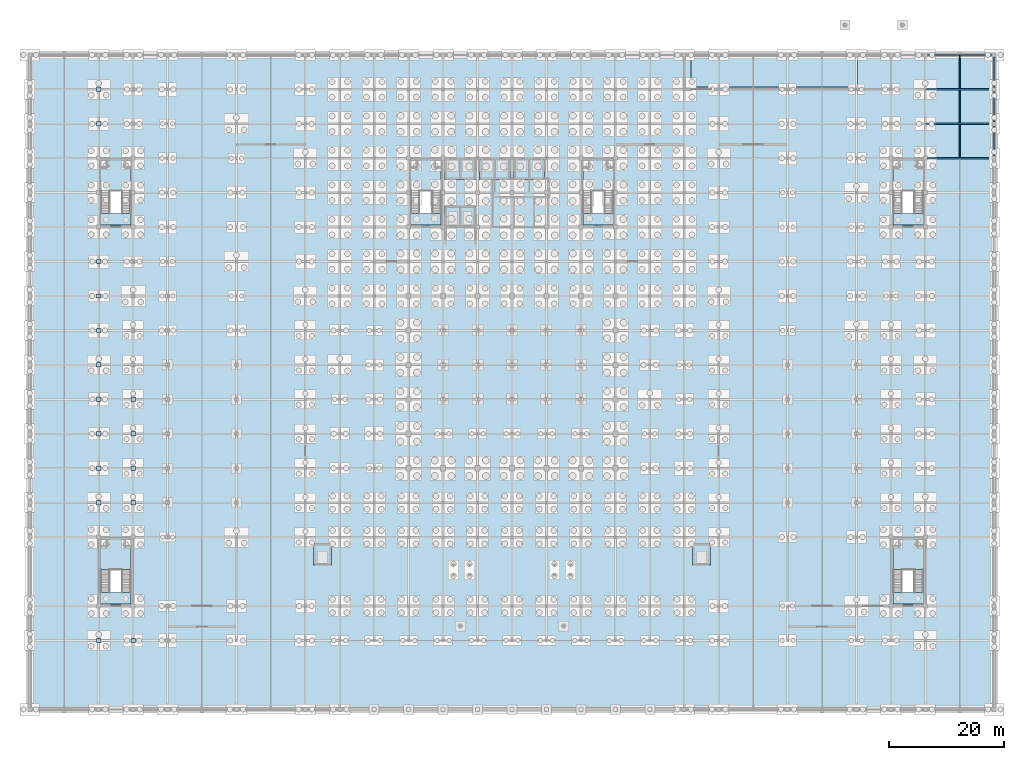
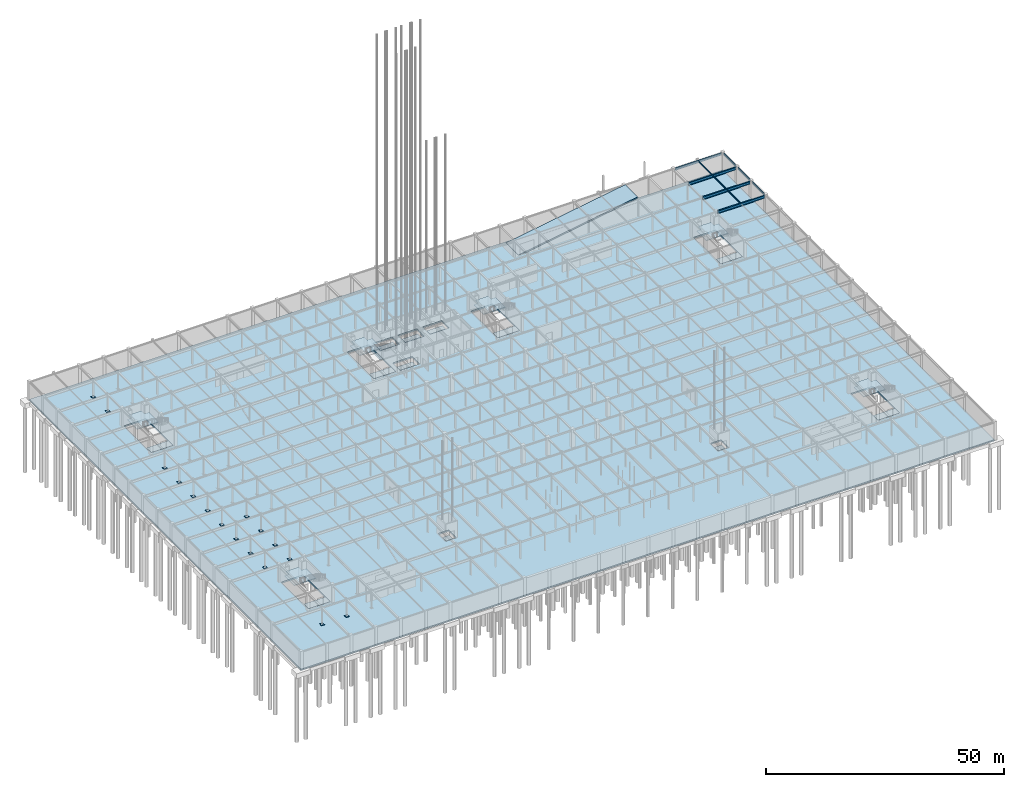
# One storey, part 42 of 69: 20 slabs, 16 plates, 10 beams, 6 elements without a shape of their own.
"""IFC4 building model written with IfcOpenShell, lengths in metres."""

from ifc_helpers import new_model, si_unit, direction, frame, origin, origin_2d, place, context, subcontext, project, spatial, polyline, rectangle, i_section, outline, extrude, material, layer, layer_set, material_profile, profile_set, type_object, element, aggregate, save


model = new_model("IFC4")

# Units and contexts
model_context = context("Model", 3, precision=1e-05, world=origin(), true_north=direction((0.0, 1.0)))
body_context = subcontext(model_context, "Body", "Model", "MODEL_VIEW")
ifc_project = project(units=[si_unit("LENGTHUNIT", "METRE"), si_unit("AREAUNIT", "SQUARE_METRE"), si_unit("VOLUMEUNIT", "CUBIC_METRE"), si_unit("PLANEANGLEUNIT", "RADIAN"), si_unit("MASSUNIT", "GRAM", prefix="KILO")], contexts=[model_context])

# Site, building, storey
site_placement = place(None, origin())
site = spatial("IfcSite", under=ifc_project, at=site_placement, CompositionType="ELEMENT")
building_placement = place(site_placement, origin())
building = spatial("IfcBuilding", under=site, at=building_placement, Name="Zlatovratsky Civic Hall", CompositionType="ELEMENT")
storey_placement = place(building_placement, frame((0.0, 0.0, -4.800048828125)))
storey = spatial("IfcBuildingStorey", under=building, at=storey_placement, Name="B1", CompositionType="ELEMENT", Elevation=-4.800048828125)

# Beams
ifc_material_1 = material(Name="Steel S355", Category="steel")
ifc_material_profile_1 = material_profile(ifc_material_1, i_section(OverallWidth=0.320068359375, OverallDepth=0.68310546875, WebThickness=0.012939453125, FlangeThickness=0.01904296875, FilletRadius=0.02587890625, at=origin_2d()), Name="70Sh1")
ifc_profile_set_1 = profile_set([ifc_material_profile_1], Name="Steel S355")
beam_type_1 = type_object("IfcBeamType", Name="Beam_HallGirder_70Sh1", PredefinedType="BEAM", material=ifc_profile_set_1)
beam_1_placement = place(storey_placement, frame((156.35009765625, 96.0, 4.138427734375), z_axis=(1.0, 0.0, 0.0), x_axis=(0.0, 1.0, 0.0)))
element("IfcBeam", 1, at=beam_1_placement, inside=storey, type_object=beam_type_1, Name="BM-0316", PredefinedType="BEAM", context=body_context, shape_type="SweptSolid", body=[
    extrude(i_section(OverallWidth=0.320068359375, OverallDepth=0.68310546875, WebThickness=0.012939453125, FlangeThickness=0.01904296875, FilletRadius=0.02587890625, at=origin_2d()), origin(), (0.0, 0.0, 1.0), 11.2998046875),
])
for number, where, z_axis, x_axis, name in (
    (2, (156.175048828125, 102.0, 4.138427734375), (1.0, 0.0, 0.0), (0.0, 1.0, 0.0), "BM-0338"),
    (3, (156.175048828125, 108.0, 4.138427734375), (1.0, 0.0, 0.0), (0.0, 1.0, 0.0), "BM-0360"),
):
    element("IfcBeam", number, at=place(storey_placement, frame(where, z_axis=z_axis, x_axis=x_axis)), inside=storey, type_object=beam_type_1, Name=name, PredefinedType="BEAM", context=body_context, shape_type="SweptSolid", body=[
        extrude(i_section(OverallWidth=0.320068359375, OverallDepth=0.68310546875, WebThickness=0.012939453125, FlangeThickness=0.01904296875, FilletRadius=0.02587890625, at=origin_2d()), origin(), (0.0, 0.0, 1.0), 11.474853515625),
    ])
ifc_material_profile_2 = material_profile(ifc_material_1, i_section(OverallWidth=0.198974609375, OverallDepth=0.491943359375, WebThickness=0.0087890625, FlangeThickness=0.011962890625, FilletRadius=0.01611328125, at=origin_2d()), Name="50B1")
ifc_profile_set_2 = profile_set([ifc_material_profile_2], Name="Steel S355")
beam_type_2 = type_object("IfcBeamType", Name="Beam_Spandrel_50B1", PredefinedType="SPANDREL", material=ifc_profile_set_2)
for number, where, z_axis, x_axis, name in (
    (4, (168.0, 96.35009765625, 4.234130859375), (0.0, 1.0, 0.0), (-1.0, 0.0, 0.0), "BM-0762"),
    (5, (168.0, 102.35009765625, 4.234130859375), (0.0, 1.0, 0.0), (-1.0, 0.0, 0.0), "BM-0763"),
    (6, (168.0, 108.35009765625, 4.234130859375), (0.0, 1.0, 0.0), (-1.0, 0.0, 0.0), "BM-0764"),
):
    element("IfcBeam", number, at=place(storey_placement, frame(where, z_axis=z_axis, x_axis=x_axis)), inside=storey, type_object=beam_type_2, Name=name, PredefinedType="SPANDREL", context=body_context, shape_type="SweptSolid", body=[
        extrude(i_section(OverallWidth=0.198974609375, OverallDepth=0.491943359375, WebThickness=0.0087890625, FlangeThickness=0.011962890625, FilletRadius=0.01611328125, at=origin_2d()), origin(), (0.0, 0.0, 1.0), 5.2998046875),
    ])
ifc_material_profile_3 = material_profile(ifc_material_1, i_section(OverallWidth=0.198974609375, OverallDepth=0.593017578125, WebThickness=0.010498046875, FlangeThickness=0.014892578125, FilletRadius=0.01806640625, at=origin_2d()), Name="60B1")
ifc_profile_set_3 = profile_set([ifc_material_profile_3], Name="Steel S355")
beam_type_3 = type_object("IfcBeamType", Name="Beam_Spandrel_60B1", PredefinedType="SPANDREL", material=ifc_profile_set_3)
beam_2_placement = place(storey_placement, frame((156.35009765625, 114.0, 4.18359375), z_axis=(1.0, 0.0, 0.0), x_axis=(0.0, 1.0, 0.0)))
element("IfcBeam", 7, at=beam_2_placement, inside=storey, type_object=beam_type_3, Name="BM-0382", PredefinedType="SPANDREL", context=body_context, shape_type="SweptSolid", body=[
    extrude(i_section(OverallWidth=0.198974609375, OverallDepth=0.593017578125, WebThickness=0.010498046875, FlangeThickness=0.014892578125, FilletRadius=0.01806640625, at=origin_2d()), origin(), (0.0, 0.0, 1.0), 11.2998046875),
])
ifc_material_profile_4 = material_profile(ifc_material_1, i_section(OverallWidth=0.14990234375, OverallDepth=0.300048828125, WebThickness=0.006591796875, FlangeThickness=0.009033203125, FilletRadius=0.012939453125, at=origin_2d()), Name="30B2")
ifc_profile_set_4 = profile_set([ifc_material_profile_4], Name="Steel S355")
beam_type_4 = type_object("IfcBeamType", Name="Joist_Podium_30B2", PredefinedType="JOIST", material=ifc_profile_set_4)
for number, where, z_axis, x_axis, name in (
    (8, (162.0, 96.159912109375, 4.330078125), (0.0, 1.0, 0.0), (-1.0, 0.0, 0.0), "BM-0856"),
    (9, (162.0, 102.159912109375, 4.330078125), (0.0, 1.0, 0.0), (-1.0, 0.0, 0.0), "BM-0862"),
):
    element("IfcBeam", number, at=place(storey_placement, frame(where, z_axis=z_axis, x_axis=x_axis)), inside=storey, type_object=beam_type_4, Name=name, PredefinedType="JOIST", context=body_context, shape_type="SweptSolid", body=[
        extrude(i_section(OverallWidth=0.14990234375, OverallDepth=0.300048828125, WebThickness=0.006591796875, FlangeThickness=0.009033203125, FilletRadius=0.012939453125, at=origin_2d()), origin(), (0.0, 0.0, 1.0), 5.68017578125),
    ])
beam_3_placement = place(storey_placement, frame((162.0, 108.159912109375, 4.330078125), z_axis=(0.0, 1.0, 0.0), x_axis=(-1.0, 0.0, 0.0)))
element("IfcBeam", 10, at=beam_3_placement, inside=storey, type_object=beam_type_4, Name="BM-0868", PredefinedType="JOIST", context=body_context, shape_type="SweptSolid", body=[
    extrude(i_section(OverallWidth=0.14990234375, OverallDepth=0.300048828125, WebThickness=0.006591796875, FlangeThickness=0.009033203125, FilletRadius=0.012939453125, at=origin_2d()), origin(), (0.0, 0.0, 1.0), 5.740478515625),
])

# Plates
ifc_layer_1 = layer(ifc_material_1, 0.0400390625)
ifc_layer_set_1 = layer_set([ifc_layer_1], Name="Steel S355")
plate_type = type_object("IfcPlateType", Name="Plate_ColumnBase_40", PredefinedType="SHEET", material=ifc_layer_set_1)
for number, where, z_axis, x_axis, name in (
    (11, (12.0, 12.0, 0.0), (0.0, 0.0, 1.0), (1.0, 0.0, 0.0), "BP-001"),
    (12, (12.0, 36.0, 0.0), (0.0, 0.0, 1.0), (1.0, 0.0, 0.0), "BP-002"),
    (13, (12.0, 42.0, 0.0), (0.0, 0.0, 1.0), (1.0, 0.0, 0.0), "BP-003"),
    (14, (12.0, 48.0, 0.0), (0.0, 0.0, 1.0), (1.0, 0.0, 0.0), "BP-004"),
    (15, (12.0, 54.0, 0.0), (0.0, 0.0, 1.0), (1.0, 0.0, 0.0), "BP-005"),
    (16, (12.0, 60.0, 0.0), (0.0, 0.0, 1.0), (1.0, 0.0, 0.0), "BP-006"),
    (17, (12.0, 66.0, 0.0), (0.0, 0.0, 1.0), (1.0, 0.0, 0.0), "BP-007"),
    (18, (12.0, 72.0, 0.0), (0.0, 0.0, 1.0), (1.0, 0.0, 0.0), "BP-008"),
    (19, (12.0, 78.0, 0.0), (0.0, 0.0, 1.0), (1.0, 0.0, 0.0), "BP-009"),
    (20, (12.0, 102.0, 0.0), (0.0, 0.0, 1.0), (1.0, 0.0, 0.0), "BP-010"),
    (21, (12.0, 108.0, 0.0), (0.0, 0.0, 1.0), (1.0, 0.0, 0.0), "BP-011"),
    (22, (18.0, 12.0, 0.0), (0.0, 0.0, 1.0), (1.0, 0.0, 0.0), "BP-012"),
    (23, (18.0, 36.0, 0.0), (0.0, 0.0, 1.0), (1.0, 0.0, 0.0), "BP-013"),
    (24, (18.0, 42.0, 0.0), (0.0, 0.0, 1.0), (1.0, 0.0, 0.0), "BP-014"),
    (25, (18.0, 48.0, 0.0), (0.0, 0.0, 1.0), (1.0, 0.0, 0.0), "BP-015"),
    (26, (18.0, 54.0, 0.0), (0.0, 0.0, 1.0), (1.0, 0.0, 0.0), "BP-016"),
):
    element("IfcPlate", number, at=place(storey_placement, frame(where, z_axis=z_axis, x_axis=x_axis)), inside=storey, type_object=plate_type, Name=name, PredefinedType="SHEET", context=body_context, shape_type="SweptSolid", body=[
        extrude(rectangle(XDim=0.760009765625, YDim=0.760009765625, at=origin_2d()), origin(), (0.0, 0.0, 1.0), 0.0400390625),
    ])

# Slabs
ifc_material_2 = material(Name="Concrete C25/30 (B30)", Category="concrete")
ifc_layer_2 = layer(ifc_material_2, 0.3798828125)
ifc_layer_set_2 = layer_set([ifc_layer_2], Name="Concrete C25/30 (B30)")
slab_type_1 = type_object("IfcSlabType", Name="Slab_BasementMat_380", PredefinedType="BASESLAB", material=ifc_layer_set_2)
slab_1_placement = place(storey_placement, frame((0.0, 0.0, -0.3798828125)))
element("IfcSlab", 27, at=slab_1_placement, inside=storey, type_object=slab_type_1, Name="SL-007", PredefinedType="BASESLAB", context=body_context, shape_type="SweptSolid", body=[
    extrude(outline(polyline([(0.0, 0.0), (168.0, 0.0), (168.0, 114.0), (0.0, 114.0), (0.0, 0.0)]), holes=[polyline([(66.35009765625, 84.35009765625), (71.64990234375, 84.35009765625), (71.64990234375, 95.64990234375), (66.35009765625, 95.64990234375), (66.35009765625, 84.35009765625)]), polyline([(96.35009765625, 84.35009765625), (101.64990234375, 84.35009765625), (101.64990234375, 95.64990234375), (96.35009765625, 95.64990234375), (96.35009765625, 84.35009765625)]), polyline([(12.35009765625, 18.35009765625), (17.64990234375, 18.35009765625), (17.64990234375, 29.64990234375), (12.35009765625, 29.64990234375), (12.35009765625, 18.35009765625)]), polyline([(150.35009765625, 18.35009765625), (155.64990234375, 18.35009765625), (155.64990234375, 29.64990234375), (150.35009765625, 29.64990234375), (150.35009765625, 18.35009765625)]), polyline([(12.35009765625, 84.35009765625), (17.64990234375, 84.35009765625), (17.64990234375, 95.64990234375), (12.35009765625, 95.64990234375), (12.35009765625, 84.35009765625)]), polyline([(150.35009765625, 84.35009765625), (155.64990234375, 84.35009765625), (155.64990234375, 95.64990234375), (150.35009765625, 95.64990234375), (150.35009765625, 84.35009765625)]), polyline([(72.64990234375, 84.300048828125), (77.35009765625, 84.300048828125), (77.35009765625, 87.39990234375), (72.64990234375, 87.39990234375), (72.64990234375, 84.300048828125)]), polyline([(72.64990234375, 92.60009765625), (77.35009765625, 92.60009765625), (77.35009765625, 95.699951171875), (72.64990234375, 95.699951171875), (72.64990234375, 92.60009765625)]), polyline([(78.64990234375, 92.60009765625), (83.35009765625, 92.60009765625), (83.35009765625, 95.699951171875), (78.64990234375, 95.699951171875), (78.64990234375, 92.60009765625)]), polyline([(84.64990234375, 92.60009765625), (89.35009765625, 92.60009765625), (89.35009765625, 95.699951171875), (84.64990234375, 95.699951171875), (84.64990234375, 92.60009765625)]), polyline([(49.75, 25.39990234375), (52.25, 25.39990234375), (52.25, 28.60009765625), (49.75, 28.60009765625), (49.75, 25.39990234375)]), polyline([(115.75, 25.39990234375), (118.25, 25.39990234375), (118.25, 28.60009765625), (115.75, 28.60009765625), (115.75, 25.39990234375)])]), origin(), (0.0, 0.0, 1.0), 0.3798828125),
])
slab_2_placement = place(storey_placement, frame((0.0, 0.0, -0.3798828125)))
element("IfcSlab", 28, at=slab_2_placement, inside=storey, type_object=slab_type_1, Name="SL-008", PredefinedType="BASESLAB", context=body_context, shape_type="SweptSolid", body=[
    extrude(outline(polyline([(66.35009765625, 84.35009765625), (71.64990234375, 84.35009765625), (71.64990234375, 86.35009765625), (66.35009765625, 86.35009765625), (66.35009765625, 84.35009765625)])), origin(), (0.0, 0.0, 1.0), 0.3798828125),
])
slab_3_placement = place(storey_placement, frame((0.0, 0.0, -0.3798828125)))
element("IfcSlab", 29, at=slab_3_placement, inside=storey, type_object=slab_type_1, Name="SL-009", PredefinedType="BASESLAB", context=body_context, shape_type="SweptSolid", body=[
    extrude(outline(polyline([(96.35009765625, 84.35009765625), (101.64990234375, 84.35009765625), (101.64990234375, 86.35009765625), (96.35009765625, 86.35009765625), (96.35009765625, 84.35009765625)])), origin(), (0.0, 0.0, 1.0), 0.3798828125),
])
slab_4_placement = place(storey_placement, frame((0.0, 0.0, -0.3798828125)))
element("IfcSlab", 30, at=slab_4_placement, inside=storey, type_object=slab_type_1, Name="SL-010", PredefinedType="BASESLAB", context=body_context, shape_type="SweptSolid", body=[
    extrude(outline(polyline([(12.35009765625, 18.35009765625), (17.64990234375, 18.35009765625), (17.64990234375, 20.35009765625), (12.35009765625, 20.35009765625), (12.35009765625, 18.35009765625)])), origin(), (0.0, 0.0, 1.0), 0.3798828125),
])
slab_5_placement = place(storey_placement, frame((0.0, 0.0, -0.3798828125)))
element("IfcSlab", 31, at=slab_5_placement, inside=storey, type_object=slab_type_1, Name="SL-011", PredefinedType="BASESLAB", context=body_context, shape_type="SweptSolid", body=[
    extrude(outline(polyline([(150.35009765625, 18.35009765625), (155.64990234375, 18.35009765625), (155.64990234375, 20.35009765625), (150.35009765625, 20.35009765625), (150.35009765625, 18.35009765625)])), origin(), (0.0, 0.0, 1.0), 0.3798828125),
])
slab_6_placement = place(storey_placement, frame((0.0, 0.0, -0.3798828125)))
element("IfcSlab", 32, at=slab_6_placement, inside=storey, type_object=slab_type_1, Name="SL-012", PredefinedType="BASESLAB", context=body_context, shape_type="SweptSolid", body=[
    extrude(outline(polyline([(12.35009765625, 84.35009765625), (17.64990234375, 84.35009765625), (17.64990234375, 86.35009765625), (12.35009765625, 86.35009765625), (12.35009765625, 84.35009765625)])), origin(), (0.0, 0.0, 1.0), 0.3798828125),
])
slab_7_placement = place(storey_placement, frame((0.0, 0.0, -0.3798828125)))
element("IfcSlab", 33, at=slab_7_placement, inside=storey, type_object=slab_type_1, Name="SL-013", PredefinedType="BASESLAB", context=body_context, shape_type="SweptSolid", body=[
    extrude(outline(polyline([(150.35009765625, 84.35009765625), (155.64990234375, 84.35009765625), (155.64990234375, 86.35009765625), (150.35009765625, 86.35009765625), (150.35009765625, 84.35009765625)])), origin(), (0.0, 0.0, 1.0), 0.3798828125),
])
ifc_layer_3 = layer(ifc_material_2, 0.5)
ifc_layer_set_3 = layer_set([ifc_layer_3], Name="Concrete C25/30 (B30)")
slab_type_2 = type_object("IfcSlabType", Name="Slab_LiftPitBase_500", PredefinedType="BASESLAB", material=ifc_layer_set_3)
slab_8_placement = place(storey_placement, frame((0.0, 0.0, -2.099853515625)))
element("IfcSlab", 34, at=slab_8_placement, inside=storey, type_object=slab_type_2, Name="SL-001", PredefinedType="BASESLAB", context=body_context, shape_type="SweptSolid", body=[
    extrude(outline(polyline([(72.35009765625, 84.0), (77.64990234375, 84.0), (77.64990234375, 87.699951171875), (72.35009765625, 87.699951171875), (72.35009765625, 84.0)])), origin(), (0.0, 0.0, 1.0), 0.5),
])
slab_9_placement = place(storey_placement, frame((0.0, 0.0, -2.099853515625)))
element("IfcSlab", 35, at=slab_9_placement, inside=storey, type_object=slab_type_2, Name="SL-002", PredefinedType="BASESLAB", context=body_context, shape_type="SweptSolid", body=[
    extrude(outline(polyline([(72.35009765625, 92.300048828125), (77.64990234375, 92.300048828125), (77.64990234375, 96.0), (72.35009765625, 96.0), (72.35009765625, 92.300048828125)])), origin(), (0.0, 0.0, 1.0), 0.5),
])
slab_10_placement = place(storey_placement, frame((0.0, 0.0, -2.099853515625)))
element("IfcSlab", 36, at=slab_10_placement, inside=storey, type_object=slab_type_2, Name="SL-003", PredefinedType="BASESLAB", context=body_context, shape_type="SweptSolid", body=[
    extrude(outline(polyline([(78.35009765625, 92.300048828125), (83.64990234375, 92.300048828125), (83.64990234375, 96.0), (78.35009765625, 96.0), (78.35009765625, 92.300048828125)])), origin(), (0.0, 0.0, 1.0), 0.5),
])
slab_11_placement = place(storey_placement, frame((0.0, 0.0, -2.099853515625)))
element("IfcSlab", 37, at=slab_11_placement, inside=storey, type_object=slab_type_2, Name="SL-004", PredefinedType="BASESLAB", context=body_context, shape_type="SweptSolid", body=[
    extrude(outline(polyline([(84.35009765625, 92.300048828125), (89.64990234375, 92.300048828125), (89.64990234375, 96.0), (84.35009765625, 96.0), (84.35009765625, 92.300048828125)])), origin(), (0.0, 0.0, 1.0), 0.5),
])
slab_12_placement = place(storey_placement, frame((0.0, 0.0, -2.099853515625)))
element("IfcSlab", 38, at=slab_12_placement, inside=storey, type_object=slab_type_2, Name="SL-005", PredefinedType="BASESLAB", context=body_context, shape_type="SweptSolid", body=[
    extrude(outline(polyline([(49.449951171875, 25.10009765625), (52.550048828125, 25.10009765625), (52.550048828125, 28.89990234375), (49.449951171875, 28.89990234375), (49.449951171875, 25.10009765625)])), origin(), (0.0, 0.0, 1.0), 0.5),
])
slab_13_placement = place(storey_placement, frame((0.0, 0.0, -2.099853515625)))
element("IfcSlab", 39, at=slab_13_placement, inside=storey, type_object=slab_type_2, Name="SL-006", PredefinedType="BASESLAB", context=body_context, shape_type="SweptSolid", body=[
    extrude(outline(polyline([(115.449951171875, 25.10009765625), (118.550048828125, 25.10009765625), (118.550048828125, 28.89990234375), (115.449951171875, 28.89990234375), (115.449951171875, 25.10009765625)])), origin(), (0.0, 0.0, 1.0), 0.5),
])

# Stair, slab
ifc_material_3 = material(Name="Concrete C30/37 (B35)", Category="concrete")
stair_type_1 = type_object("IfcStairType", Name="Stair_HALF_30R_1550W_01", PredefinedType="HALF_TURN_STAIR", material=ifc_material_3)
stair_1_placement = place(storey_placement, origin())
stair_1 = element("IfcStair", 40, at=stair_1_placement, inside=storey, type_object=stair_type_1, Name="ST-001", PredefinedType="HALF_TURN_STAIR")
ifc_layer_4 = layer(ifc_material_3, 0.179931640625)
ifc_layer_set_4 = layer_set([ifc_layer_4], Name="Concrete C30/37 (B35)")
slab_type_3 = type_object("IfcSlabType", Name="Slab_StairLanding_180", PredefinedType="LANDING", material=ifc_layer_set_4)
slab_14_placement = place(storey_placement, frame((0.0, 0.0, 2.219970703125)))
slab_14 = element("IfcSlab", 41, at=slab_14_placement, type_object=slab_type_3, Name="SL-LD-01", PredefinedType="LANDING", context=body_context, shape_type="SweptSolid", body=[
    extrude(outline(polyline([(66.35009765625, 90.340087890625), (71.64990234375, 90.340087890625), (71.64990234375, 94.39990234375), (70.550048828125, 94.39990234375), (70.550048828125, 95.64990234375), (67.449951171875, 95.64990234375), (67.449951171875, 94.39990234375), (66.35009765625, 94.39990234375), (66.35009765625, 90.340087890625)])), origin(), (0.0, 0.0, 1.0), 0.18017578125),
])
aggregate(stair_1, [slab_14])

stair_2_placement = place(storey_placement, origin())
stair_2 = element("IfcStair", 42, at=stair_2_placement, inside=storey, type_object=stair_type_1, Name="ST-020", PredefinedType="HALF_TURN_STAIR")
slab_15_placement = place(storey_placement, frame((0.0, 0.0, 2.219970703125)))
slab_15 = element("IfcSlab", 43, at=slab_15_placement, type_object=slab_type_3, Name="SL-LD-20", PredefinedType="LANDING", context=body_context, shape_type="SweptSolid", body=[
    extrude(outline(polyline([(96.35009765625, 90.340087890625), (101.64990234375, 90.340087890625), (101.64990234375, 94.39990234375), (100.550048828125, 94.39990234375), (100.550048828125, 95.64990234375), (97.449951171875, 95.64990234375), (97.449951171875, 94.39990234375), (96.35009765625, 94.39990234375), (96.35009765625, 90.340087890625)])), origin(), (0.0, 0.0, 1.0), 0.18017578125),
])
aggregate(stair_2, [slab_15])

stair_type_2 = type_object("IfcStairType", Name="Stair_HALF_30R_1600W_06", PredefinedType="HALF_TURN_STAIR", material=ifc_material_3)
stair_3_placement = place(storey_placement, origin())
stair_3 = element("IfcStair", 44, at=stair_3_placement, inside=storey, type_object=stair_type_2, Name="ST-038", PredefinedType="HALF_TURN_STAIR")
slab_16_placement = place(storey_placement, frame((0.0, 0.0, 2.219970703125)))
slab_16 = element("IfcSlab", 45, at=slab_16_placement, type_object=slab_type_3, Name="SL-LD-38", PredefinedType="LANDING", context=body_context, shape_type="SweptSolid", body=[
    extrude(outline(polyline([(12.35009765625, 24.340087890625), (17.64990234375, 24.340087890625), (17.64990234375, 28.39990234375), (16.550048828125, 28.39990234375), (16.550048828125, 29.64990234375), (13.449951171875, 29.64990234375), (13.449951171875, 28.39990234375), (12.35009765625, 28.39990234375), (12.35009765625, 24.340087890625)])), origin(), (0.0, 0.0, 1.0), 0.18017578125),
])
aggregate(stair_3, [slab_16])

stair_4_placement = place(storey_placement, origin())
stair_4 = element("IfcStair", 46, at=stair_4_placement, inside=storey, type_object=stair_type_2, Name="ST-042", PredefinedType="HALF_TURN_STAIR")
slab_17_placement = place(storey_placement, frame((0.0, 0.0, 2.219970703125)))
slab_17 = element("IfcSlab", 47, at=slab_17_placement, type_object=slab_type_3, Name="SL-LD-42", PredefinedType="LANDING", context=body_context, shape_type="SweptSolid", body=[
    extrude(outline(polyline([(150.35009765625, 24.340087890625), (155.64990234375, 24.340087890625), (155.64990234375, 28.39990234375), (154.550048828125, 28.39990234375), (154.550048828125, 29.64990234375), (151.449951171875, 29.64990234375), (151.449951171875, 28.39990234375), (150.35009765625, 28.39990234375), (150.35009765625, 24.340087890625)])), origin(), (0.0, 0.0, 1.0), 0.18017578125),
])
aggregate(stair_4, [slab_17])

stair_5_placement = place(storey_placement, origin())
stair_5 = element("IfcStair", 48, at=stair_5_placement, inside=storey, type_object=stair_type_2, Name="ST-046", PredefinedType="HALF_TURN_STAIR")
slab_18_placement = place(storey_placement, frame((0.0, 0.0, 2.219970703125)))
slab_18 = element("IfcSlab", 49, at=slab_18_placement, type_object=slab_type_3, Name="SL-LD-46", PredefinedType="LANDING", context=body_context, shape_type="SweptSolid", body=[
    extrude(outline(polyline([(12.35009765625, 90.340087890625), (17.64990234375, 90.340087890625), (17.64990234375, 94.39990234375), (16.550048828125, 94.39990234375), (16.550048828125, 95.64990234375), (13.449951171875, 95.64990234375), (13.449951171875, 94.39990234375), (12.35009765625, 94.39990234375), (12.35009765625, 90.340087890625)])), origin(), (0.0, 0.0, 1.0), 0.18017578125),
])
aggregate(stair_5, [slab_18])

stair_6_placement = place(storey_placement, origin())
stair_6 = element("IfcStair", 50, at=stair_6_placement, inside=storey, type_object=stair_type_2, Name="ST-050", PredefinedType="HALF_TURN_STAIR")
slab_19_placement = place(storey_placement, frame((0.0, 0.0, 2.219970703125)))
slab_19 = element("IfcSlab", 51, at=slab_19_placement, type_object=slab_type_3, Name="SL-LD-50", PredefinedType="LANDING", context=body_context, shape_type="SweptSolid", body=[
    extrude(outline(polyline([(150.35009765625, 90.340087890625), (155.64990234375, 90.340087890625), (155.64990234375, 94.39990234375), (154.550048828125, 94.39990234375), (154.550048828125, 95.64990234375), (151.449951171875, 95.64990234375), (151.449951171875, 94.39990234375), (150.35009765625, 94.39990234375), (150.35009765625, 90.340087890625)])), origin(), (0.0, 0.0, 1.0), 0.18017578125),
])
aggregate(stair_6, [slab_19])

# Slab
ifc_layer_5 = layer(ifc_material_3, 0.320068359375)
ifc_layer_set_5 = layer_set([ifc_layer_5], Name="Concrete C30/37 (B35)")
slab_type_4 = type_object("IfcSlabType", Name="Slab_VehicleRampDeck_320", PredefinedType="FLOOR", material=ifc_layer_set_5)
slab_20_placement = place(storey_placement, frame((115.199951171875, 108.39990234375, 0.0), z_axis=(-0.163571915001, 0.0, 0.986531412892), x_axis=(0.986531412892, 0.0, 0.163571915001)))
element("IfcSlab", 52, at=slab_20_placement, inside=storey, type_object=slab_type_4, Name="SL-VEHICLE-RAMP-01", PredefinedType="FLOOR", context=body_context, shape_type="SweptSolid", body=[
    extrude(outline(polyline([(0.0, 0.0), (29.345189411662197, 0.0), (29.345189411662197, 5.2001953125), (0.0, 5.2001953125), (0.0, 0.0)])), origin(), (0.0, 0.0, -1.0), 0.320068359375),
])

save(model, "model.ifc")
